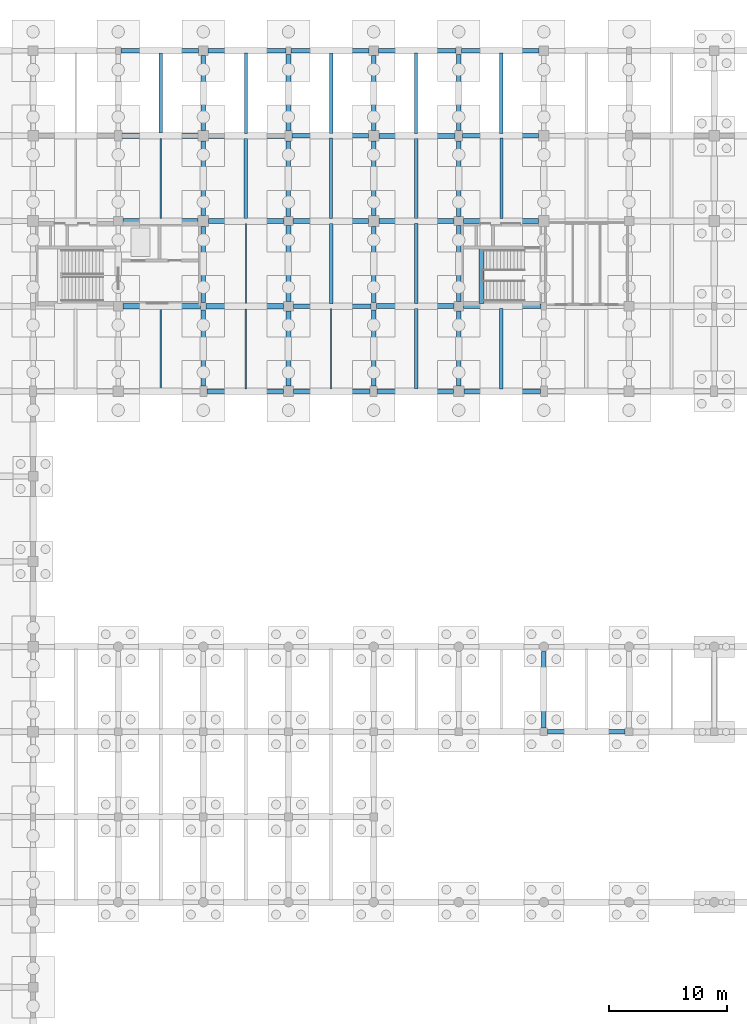
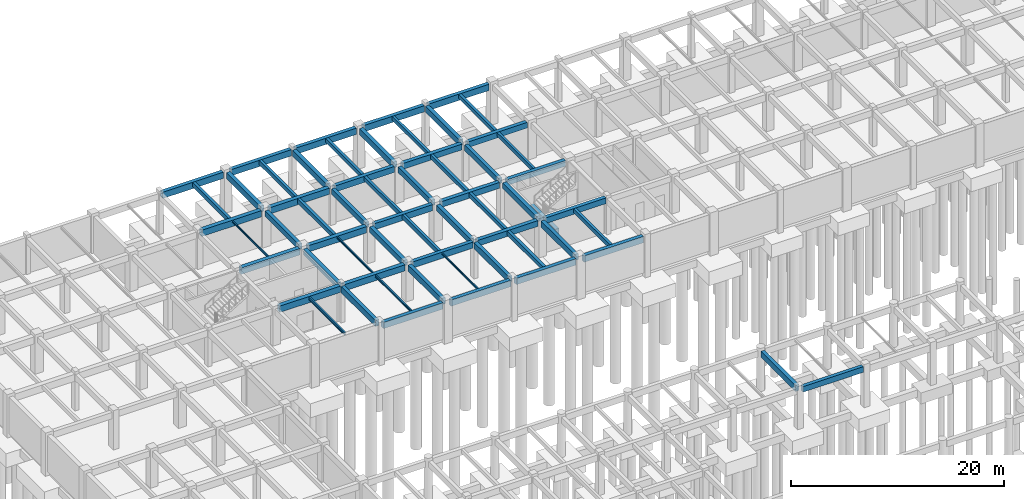
# One storey, part 30 of 47: 61 beams.
"""IFC4 building model written with IfcOpenShell, lengths in metres."""

from ifc_helpers import new_model, si_unit, direction, frame, origin, origin_2d, place, context, subcontext, project, spatial, rectangle, i_section, extrude, material, material_profile, profile_set, type_object, element, save


model = new_model("IFC4")

# Units and contexts
model_context = context("Model", 3, precision=1e-05, world=origin(), true_north=direction((0.0, 1.0)))
body_context = subcontext(model_context, "Body", "Model", "MODEL_VIEW")
ifc_project = project(units=[si_unit("LENGTHUNIT", "METRE"), si_unit("AREAUNIT", "SQUARE_METRE"), si_unit("VOLUMEUNIT", "CUBIC_METRE"), si_unit("PLANEANGLEUNIT", "RADIAN"), si_unit("MASSUNIT", "GRAM", prefix="KILO")], contexts=[model_context])

# Site, building, storey
site_placement = place(None, origin())
site = spatial("IfcSite", under=ifc_project, at=site_placement, CompositionType="ELEMENT")
building_placement = place(site_placement, origin())
building = spatial("IfcBuilding", under=site, at=building_placement, Name="Thalmaran Polytechnic", CompositionType="ELEMENT")
storey_placement = place(building_placement, frame((0.0, 0.0, -4.5)))
storey = spatial("IfcBuildingStorey", under=building, at=storey_placement, Name="B1", CompositionType="ELEMENT", Elevation=-4.5)

# Beams
ifc_material_1 = material(Name="Concrete C40/50", Category="concrete")
ifc_material_profile_1 = material_profile(ifc_material_1, rectangle(XDim=0.449951171875, YDim=0.72509765625, at=origin_2d()), Name="RC 450x725")
ifc_profile_set_1 = profile_set([ifc_material_profile_1], Name="Concrete C40/50")
beam_type_1 = type_object("IfcBeamType", Name="BM-RC04", PredefinedType="BEAM", material=ifc_profile_set_1)
beam_1_placement = place(storey_placement, frame((29.2099609375, 100.800048828125, 3.8076171875), z_axis=(1.0, 0.0, 0.0), x_axis=(0.0, 1.0, 0.0)))
element("IfcBeam", 1, at=beam_1_placement, inside=storey, type_object=beam_type_1, Name="Grid Beam B04 B1 X(4,14)", PredefinedType="BEAM", context=body_context, shape_type="SweptSolid", body=[
    extrude(rectangle(XDim=0.449951171875, YDim=0.72509765625, at=origin_2d()), origin(), (0.0, 0.0, 1.0), 6.56494140625),
])
beam_2_placement = place(storey_placement, frame((29.199951171875, 108.0, 3.8076171875), z_axis=(1.0, 0.0, 0.0), x_axis=(0.0, 1.0, 0.0)))
element("IfcBeam", 2, at=beam_2_placement, inside=storey, type_object=beam_type_1, Name="Grid Beam B04 B1 X(4,15)", PredefinedType="BEAM", context=body_context, shape_type="SweptSolid", body=[
    extrude(rectangle(XDim=0.449951171875, YDim=0.72509765625, at=origin_2d()), origin(), (0.0, 0.0, 1.0), 6.35009765625),
])
beam_3_placement = place(storey_placement, frame((29.10009765625, 115.199951171875, 3.8076171875), z_axis=(1.0, 0.0, 0.0), x_axis=(0.0, 1.0, 0.0)))
element("IfcBeam", 3, at=beam_3_placement, inside=storey, type_object=beam_type_1, Name="Grid Beam B04 B1 X(4,16)", PredefinedType="BEAM", context=body_context, shape_type="SweptSolid", body=[
    extrude(rectangle(XDim=0.449951171875, YDim=0.72509765625, at=origin_2d()), origin(), (0.0, 0.0, 1.0), 6.4599609375),
])
ifc_material_profile_2 = material_profile(ifc_material_1, rectangle(XDim=0.39990234375, YDim=0.699951171875, at=origin_2d()), Name="RC 400x700")
ifc_profile_set_2 = profile_set([ifc_material_profile_2], Name="Concrete C40/50")
beam_type_2 = type_object("IfcBeamType", Name="BM-RC05", PredefinedType="BEAM", material=ifc_profile_set_2)
beam_4_placement = place(storey_placement, frame((43.610107421875, 100.800048828125, 3.820068359375), z_axis=(1.0, 0.0, 0.0), x_axis=(0.0, 1.0, 0.0)))
element("IfcBeam", 4, at=beam_4_placement, inside=storey, type_object=beam_type_2, Name="Grid Beam B05 B1 X(6,14)", PredefinedType="BEAM", context=body_context, shape_type="SweptSolid", body=[
    extrude(rectangle(XDim=0.39990234375, YDim=0.699951171875, at=origin_2d()), origin(), (0.0, 0.0, 1.0), 6.56494140625),
])
beam_5_placement = place(storey_placement, frame((43.60009765625, 108.0, 3.820068359375), z_axis=(1.0, 0.0, 0.0), x_axis=(0.0, 1.0, 0.0)))
element("IfcBeam", 5, at=beam_5_placement, inside=storey, type_object=beam_type_2, Name="Grid Beam B05 B1 X(6,15)", PredefinedType="BEAM", context=body_context, shape_type="SweptSolid", body=[
    extrude(rectangle(XDim=0.39990234375, YDim=0.699951171875, at=origin_2d()), origin(), (0.0, 0.0, 1.0), 6.349853515625),
])
beam_6_placement = place(storey_placement, frame((43.5, 115.199951171875, 3.820068359375), z_axis=(1.0, 0.0, 0.0), x_axis=(0.0, 1.0, 0.0)))
element("IfcBeam", 6, at=beam_6_placement, inside=storey, type_object=beam_type_2, Name="Grid Beam B05 B1 X(6,16)", PredefinedType="BEAM", context=body_context, shape_type="SweptSolid", body=[
    extrude(rectangle(XDim=0.39990234375, YDim=0.699951171875, at=origin_2d()), origin(), (0.0, 0.0, 1.0), 6.4599609375),
])
ifc_material_profile_3 = material_profile(ifc_material_1, rectangle(XDim=0.39990234375, YDim=0.64990234375, at=origin_2d()), Name="RC 400x650")
ifc_profile_set_3 = profile_set([ifc_material_profile_3], Name="Concrete C40/50")
beam_type_3 = type_object("IfcBeamType", Name="BM-RC06", PredefinedType="BEAM", material=ifc_profile_set_3)
beam_7_placement = place(storey_placement, frame((58.010009765625, 100.800048828125, 3.844970703125), z_axis=(1.0, 0.0, 0.0), x_axis=(0.0, 1.0, 0.0)))
element("IfcBeam", 7, at=beam_7_placement, inside=storey, type_object=beam_type_3, Name="Grid Beam B06 B1 X(8,14)", PredefinedType="BEAM", context=body_context, shape_type="SweptSolid", body=[
    extrude(rectangle(XDim=0.39990234375, YDim=0.64990234375, at=origin_2d()), origin(), (0.0, 0.0, 1.0), 6.56494140625),
])
beam_8_placement = place(storey_placement, frame((58.0, 108.0, 3.844970703125), z_axis=(1.0, 0.0, 0.0), x_axis=(0.0, 1.0, 0.0)))
element("IfcBeam", 8, at=beam_8_placement, inside=storey, type_object=beam_type_3, Name="Grid Beam B06 B1 X(8,15)", PredefinedType="BEAM", context=body_context, shape_type="SweptSolid", body=[
    extrude(rectangle(XDim=0.39990234375, YDim=0.64990234375, at=origin_2d()), origin(), (0.0, 0.0, 1.0), 6.35009765625),
])
beam_9_placement = place(storey_placement, frame((57.89990234375, 115.199951171875, 3.844970703125), z_axis=(1.0, 0.0, 0.0), x_axis=(0.0, 1.0, 0.0)))
element("IfcBeam", 9, at=beam_9_placement, inside=storey, type_object=beam_type_3, Name="Grid Beam B06 B1 X(8,16)", PredefinedType="BEAM", context=body_context, shape_type="SweptSolid", body=[
    extrude(rectangle(XDim=0.39990234375, YDim=0.64990234375, at=origin_2d()), origin(), (0.0, 0.0, 1.0), 6.460205078125),
])
ifc_material_profile_4 = material_profile(ifc_material_1, rectangle(XDim=0.39990234375, YDim=0.6298828125, at=origin_2d()), Name="RC 400x630")
ifc_profile_set_4 = profile_set([ifc_material_profile_4], Name="Concrete C40/50")
beam_type_4 = type_object("IfcBeamType", Name="BM-RC07", PredefinedType="BEAM", material=ifc_profile_set_4)
beam_10_placement = place(storey_placement, frame((36.0, 101.125, 3.85498046875), z_axis=(0.0, 1.0, 0.0), x_axis=(-1.0, 0.0, 0.0)))
element("IfcBeam", 10, at=beam_10_placement, inside=storey, type_object=beam_type_4, Name="Grid Beam B07 B1 Y(5,14)", PredefinedType="BEAM", context=body_context, shape_type="SweptSolid", body=[
    extrude(rectangle(XDim=0.39990234375, YDim=0.6298828125, at=origin_2d()), origin(), (0.0, 0.0, 1.0), 6.425048828125),
])
beam_11_placement = place(storey_placement, frame((43.199951171875, 101.2099609375, 3.85498046875), z_axis=(0.0, 1.0, 0.0), x_axis=(-1.0, 0.0, 0.0)))
element("IfcBeam", 11, at=beam_11_placement, inside=storey, type_object=beam_type_4, Name="Grid Beam B07 B1 Y(6,14)", PredefinedType="BEAM", context=body_context, shape_type="SweptSolid", body=[
    extrude(rectangle(XDim=0.39990234375, YDim=0.6298828125, at=origin_2d()), origin(), (0.0, 0.0, 1.0), 6.39013671875),
])
beam_12_placement = place(storey_placement, frame((50.39990234375, 101.125, 3.85498046875), z_axis=(0.0, 1.0, 0.0), x_axis=(-1.0, 0.0, 0.0)))
element("IfcBeam", 12, at=beam_12_placement, inside=storey, type_object=beam_type_4, Name="Grid Beam B07 B1 Y(7,14)", PredefinedType="BEAM", context=body_context, shape_type="SweptSolid", body=[
    extrude(rectangle(XDim=0.39990234375, YDim=0.6298828125, at=origin_2d()), origin(), (0.0, 0.0, 1.0), 6.425048828125),
])
beam_13_placement = place(storey_placement, frame((57.60009765625, 101.2099609375, 3.85498046875), z_axis=(0.0, 1.0, 0.0), x_axis=(-1.0, 0.0, 0.0)))
element("IfcBeam", 13, at=beam_13_placement, inside=storey, type_object=beam_type_4, Name="Grid Beam B07 B1 Y(8,14)", PredefinedType="BEAM", context=body_context, shape_type="SweptSolid", body=[
    extrude(rectangle(XDim=0.39990234375, YDim=0.6298828125, at=origin_2d()), origin(), (0.0, 0.0, 1.0), 6.39013671875),
])
ifc_material_profile_5 = material_profile(ifc_material_1, rectangle(XDim=0.389892578125, YDim=0.68505859375, at=origin_2d()), Name="RC 390x685")
ifc_profile_set_5 = profile_set([ifc_material_profile_5], Name="Concrete C40/50")
beam_type_5 = type_object("IfcBeamType", Name="BM-RC08", PredefinedType="BEAM", material=ifc_profile_set_5)
beam_14_placement = place(storey_placement, frame((36.0, 115.639892578125, 3.827392578125), z_axis=(0.0, 1.0, 0.0), x_axis=(-1.0, 0.0, 0.0)))
element("IfcBeam", 14, at=beam_14_placement, inside=storey, type_object=beam_type_5, Name="Grid Beam B08 B1 Y(5,16)", PredefinedType="BEAM", context=body_context, shape_type="SweptSolid", body=[
    extrude(rectangle(XDim=0.389892578125, YDim=0.68505859375, at=origin_2d()), origin(), (0.0, 0.0, 1.0), 6.35009765625),
])
beam_15_placement = place(storey_placement, frame((43.199951171875, 115.64990234375, 3.827392578125), z_axis=(0.0, 1.0, 0.0), x_axis=(-1.0, 0.0, 0.0)))
element("IfcBeam", 15, at=beam_15_placement, inside=storey, type_object=beam_type_5, Name="Grid Beam B08 B1 Y(6,16)", PredefinedType="BEAM", context=body_context, shape_type="SweptSolid", body=[
    extrude(rectangle(XDim=0.389892578125, YDim=0.68505859375, at=origin_2d()), origin(), (0.0, 0.0, 1.0), 6.425048828125),
])
beam_16_placement = place(storey_placement, frame((50.39990234375, 115.639892578125, 3.827392578125), z_axis=(0.0, 1.0, 0.0), x_axis=(-1.0, 0.0, 0.0)))
element("IfcBeam", 16, at=beam_16_placement, inside=storey, type_object=beam_type_5, Name="Grid Beam B08 B1 Y(7,16)", PredefinedType="BEAM", context=body_context, shape_type="SweptSolid", body=[
    extrude(rectangle(XDim=0.389892578125, YDim=0.68505859375, at=origin_2d()), origin(), (0.0, 0.0, 1.0), 6.35009765625),
])
beam_17_placement = place(storey_placement, frame((57.60009765625, 115.64990234375, 3.827392578125), z_axis=(0.0, 1.0, 0.0), x_axis=(-1.0, 0.0, 0.0)))
element("IfcBeam", 17, at=beam_17_placement, inside=storey, type_object=beam_type_5, Name="Grid Beam B08 B1 Y(8,16)", PredefinedType="BEAM", context=body_context, shape_type="SweptSolid", body=[
    extrude(rectangle(XDim=0.389892578125, YDim=0.68505859375, at=origin_2d()), origin(), (0.0, 0.0, 1.0), 6.425048828125),
])
beam_18_placement = place(storey_placement, frame((64.800048828125, 65.125, 3.847412109375), z_axis=(0.0, 1.0, 0.0), x_axis=(-1.0, 0.0, 0.0)))
element("IfcBeam", 18, at=beam_18_placement, inside=storey, type_object=beam_type_5, Name="Grid Beam B08 B1 Y(9,9)", PredefinedType="BEAM", context=body_context, shape_type="SweptSolid", body=[
    extrude(rectangle(XDim=0.389892578125, YDim=0.68505859375, at=origin_2d()), origin(), (0.0, 0.0, 1.0), 6.47509765625),
])
ifc_material_profile_6 = material_profile(ifc_material_1, rectangle(XDim=0.389892578125, YDim=0.695068359375, at=origin_2d()), Name="RC 390x695")
ifc_profile_set_6 = profile_set([ifc_material_profile_6], Name="Concrete C40/50")
beam_type_6 = type_object("IfcBeamType", Name="BM-RC10", PredefinedType="BEAM", material=ifc_profile_set_6)
beam_19_placement = place(storey_placement, frame((36.0, 94.050048828125, 3.822509765625), z_axis=(0.0, 1.0, 0.0), x_axis=(-1.0, 0.0, 0.0)))
element("IfcBeam", 19, at=beam_19_placement, inside=storey, type_object=beam_type_6, Name="Grid Beam B10 B1 Y(5,13)", PredefinedType="BEAM", context=body_context, shape_type="SweptSolid", body=[
    extrude(rectangle(XDim=0.389892578125, YDim=0.695068359375, at=origin_2d()), origin(), (0.0, 0.0, 1.0), 6.425048828125),
])
beam_20_placement = place(storey_placement, frame((43.199951171875, 94.0400390625, 3.822509765625), z_axis=(0.0, 1.0, 0.0), x_axis=(-1.0, 0.0, 0.0)))
element("IfcBeam", 20, at=beam_20_placement, inside=storey, type_object=beam_type_6, Name="Grid Beam B10 B1 Y(6,13)", PredefinedType="BEAM", context=body_context, shape_type="SweptSolid", body=[
    extrude(rectangle(XDim=0.389892578125, YDim=0.695068359375, at=origin_2d()), origin(), (0.0, 0.0, 1.0), 6.349853515625),
])
beam_21_placement = place(storey_placement, frame((50.39990234375, 94.050048828125, 3.822509765625), z_axis=(0.0, 1.0, 0.0), x_axis=(-1.0, 0.0, 0.0)))
element("IfcBeam", 21, at=beam_21_placement, inside=storey, type_object=beam_type_6, Name="Grid Beam B10 B1 Y(7,13)", PredefinedType="BEAM", context=body_context, shape_type="SweptSolid", body=[
    extrude(rectangle(XDim=0.389892578125, YDim=0.695068359375, at=origin_2d()), origin(), (0.0, 0.0, 1.0), 6.425048828125),
])
beam_22_placement = place(storey_placement, frame((57.60009765625, 94.0400390625, 3.822509765625), z_axis=(0.0, 1.0, 0.0), x_axis=(-1.0, 0.0, 0.0)))
element("IfcBeam", 22, at=beam_22_placement, inside=storey, type_object=beam_type_6, Name="Grid Beam B10 B1 Y(8,13)", PredefinedType="BEAM", context=body_context, shape_type="SweptSolid", body=[
    extrude(rectangle(XDim=0.389892578125, YDim=0.695068359375, at=origin_2d()), origin(), (0.0, 0.0, 1.0), 6.349853515625),
])
beam_23_placement = place(storey_placement, frame((59.52001953125, 101.0400390625, 1.7900390625), z_axis=(0.0, 1.0, 0.0), x_axis=(-1.0, 0.0, 0.0)))
element("IfcBeam", 23, at=beam_23_placement, inside=storey, type_object=beam_type_6, Name="ST6 B1 Half-Landing Trimmer Beam", PredefinedType="BEAM", context=body_context, shape_type="SweptSolid", body=[
    extrude(rectangle(XDim=0.389892578125, YDim=0.695068359375, at=origin_2d()), origin(), (0.0, 0.0, 1.0), 4.699951171875),
])
ifc_material_profile_7 = material_profile(ifc_material_1, rectangle(XDim=0.300048828125, YDim=0.5, at=origin_2d()), Name="RC 300x500")
ifc_profile_set_7 = profile_set([ifc_material_profile_7], Name="Concrete C40/50")
beam_type_7 = type_object("IfcBeamType", Name="BM-RC11", PredefinedType="JOIST", material=ifc_profile_set_7)
beam_24_placement = place(storey_placement, frame((32.39990234375, 115.425048828125, 3.919921875), z_axis=(0.0, 1.0, 0.0), x_axis=(-1.0, 0.0, 0.0)))
element("IfcBeam", 24, at=beam_24_placement, inside=storey, type_object=beam_type_7, Name="Secondary Floor Rib RB01 B1 (4,16)", PredefinedType="JOIST", context=body_context, shape_type="SweptSolid", body=[
    extrude(rectangle(XDim=0.300048828125, YDim=0.5, at=origin_2d()), origin(), (0.0, 0.0, 1.0), 6.77490234375),
])
beam_25_placement = place(storey_placement, frame((39.60009765625, 108.219970703125, 3.919921875), z_axis=(0.0, 1.0, 0.0), x_axis=(-1.0, 0.0, 0.0)))
element("IfcBeam", 25, at=beam_25_placement, inside=storey, type_object=beam_type_7, Name="Secondary Floor Rib RB01 B1 (5,15)", PredefinedType="JOIST", context=body_context, shape_type="SweptSolid", body=[
    extrude(rectangle(XDim=0.300048828125, YDim=0.5, at=origin_2d()), origin(), (0.0, 0.0, 1.0), 6.760009765625),
])
beam_26_placement = place(storey_placement, frame((46.800048828125, 101.0, 3.919921875), z_axis=(0.0, 1.0, 0.0), x_axis=(-1.0, 0.0, 0.0)))
element("IfcBeam", 26, at=beam_26_placement, inside=storey, type_object=beam_type_7, Name="Secondary Floor Rib RB01 B1 (6,14)", PredefinedType="JOIST", context=body_context, shape_type="SweptSolid", body=[
    extrude(rectangle(XDim=0.300048828125, YDim=0.5, at=origin_2d()), origin(), (0.0, 0.0, 1.0), 6.800048828125),
])
beam_27_placement = place(storey_placement, frame((54.0, 93.800048828125, 3.919921875), z_axis=(0.0, 1.0, 0.0), x_axis=(-1.0, 0.0, 0.0)))
element("IfcBeam", 27, at=beam_27_placement, inside=storey, type_object=beam_type_7, Name="Secondary Floor Rib RB01 B1 (7,13)", PredefinedType="JOIST", context=body_context, shape_type="SweptSolid", body=[
    extrude(rectangle(XDim=0.300048828125, YDim=0.5, at=origin_2d()), origin(), (0.0, 0.0, 1.0), 6.7900390625),
])
ifc_material_profile_8 = material_profile(ifc_material_1, rectangle(XDim=0.300048828125, YDim=0.449951171875, at=origin_2d()), Name="RC 300x450")
ifc_profile_set_8 = profile_set([ifc_material_profile_8], Name="Concrete C40/50")
beam_type_8 = type_object("IfcBeamType", Name="BM-RC12", PredefinedType="JOIST", material=ifc_profile_set_8)
beam_28_placement = place(storey_placement, frame((46.800048828125, 115.39990234375, 3.945068359375), z_axis=(0.0, 1.0, 0.0), x_axis=(-1.0, 0.0, 0.0)))
element("IfcBeam", 28, at=beam_28_placement, inside=storey, type_object=beam_type_8, Name="Secondary Floor Rib RB02 B1 (6,16)", PredefinedType="JOIST", context=body_context, shape_type="SweptSolid", body=[
    extrude(rectangle(XDim=0.300048828125, YDim=0.449951171875, at=origin_2d()), origin(), (0.0, 0.0, 1.0), 6.800048828125),
])
beam_29_placement = place(storey_placement, frame((54.0, 108.2099609375, 3.945068359375), z_axis=(0.0, 1.0, 0.0), x_axis=(-1.0, 0.0, 0.0)))
element("IfcBeam", 29, at=beam_29_placement, inside=storey, type_object=beam_type_8, Name="Secondary Floor Rib RB02 B1 (7,15)", PredefinedType="JOIST", context=body_context, shape_type="SweptSolid", body=[
    extrude(rectangle(XDim=0.300048828125, YDim=0.449951171875, at=origin_2d()), origin(), (0.0, 0.0, 1.0), 6.780029296875),
])
ifc_material_profile_9 = material_profile(ifc_material_1, rectangle(XDim=0.280029296875, YDim=0.449951171875, at=origin_2d()), Name="RC 280x450")
ifc_profile_set_9 = profile_set([ifc_material_profile_9], Name="Concrete C40/50")
beam_type_9 = type_object("IfcBeamType", Name="BM-RC13", PredefinedType="JOIST", material=ifc_profile_set_9)
beam_30_placement = place(storey_placement, frame((61.199951171875, 115.39990234375, 3.945068359375), z_axis=(0.0, 1.0, 0.0), x_axis=(-1.0, 0.0, 0.0)))
element("IfcBeam", 30, at=beam_30_placement, inside=storey, type_object=beam_type_9, Name="Secondary Floor Rib RB03 B1 (8,16)", PredefinedType="JOIST", context=body_context, shape_type="SweptSolid", body=[
    extrude(rectangle(XDim=0.280029296875, YDim=0.449951171875, at=origin_2d()), origin(), (0.0, 0.0, 1.0), 6.800048828125),
])
ifc_material_2 = material(Name="Steel S355", Category="steel")
ifc_material_profile_10 = material_profile(ifc_material_2, i_section(OverallWidth=0.159912109375, OverallDepth=0.330078125, WebThickness=0.007568359375, FlangeThickness=0.011474609375, at=origin_2d()), Name="IPE 330")
ifc_profile_set_10 = profile_set([ifc_material_profile_10], Name="Steel S355")
beam_type_10 = type_object("IfcBeamType", Name="BM-SJ02", PredefinedType="JOIST", material=ifc_profile_set_10)
beam_31_placement = place(storey_placement, frame((32.39990234375, 93.800048828125, 4.0048828125), z_axis=(0.0, 1.0, 0.0), x_axis=(-1.0, 0.0, 0.0)))
element("IfcBeam", 31, at=beam_31_placement, inside=storey, type_object=beam_type_10, Name="Secondary Floor Rib SJ02 B1 (4,13)", PredefinedType="JOIST", context=body_context, shape_type="SweptSolid", body=[
    extrude(i_section(OverallWidth=0.159912109375, OverallDepth=0.330078125, WebThickness=0.007568359375, FlangeThickness=0.011474609375, at=origin_2d()), origin(), (0.0, 0.0, 1.0), 6.77490234375),
])
ifc_material_profile_11 = material_profile(ifc_material_2, i_section(OverallWidth=0.135009765625, OverallDepth=0.27001953125, WebThickness=0.006591796875, FlangeThickness=0.01025390625, at=origin_2d()), Name="IPE 270")
ifc_profile_set_11 = profile_set([ifc_material_profile_11], Name="Steel S355")
beam_type_11 = type_object("IfcBeamType", Name="BM-SJ03", PredefinedType="JOIST", material=ifc_profile_set_11)
beam_32_placement = place(storey_placement, frame((39.60009765625, 93.800048828125, 4.034912109375), z_axis=(0.0, 1.0, 0.0), x_axis=(-1.0, 0.0, 0.0)))
element("IfcBeam", 32, at=beam_32_placement, inside=storey, type_object=beam_type_11, Name="Secondary Floor Rib SJ03 B1 (5,13)", PredefinedType="JOIST", context=body_context, shape_type="SweptSolid", body=[
    extrude(i_section(OverallWidth=0.135009765625, OverallDepth=0.27001953125, WebThickness=0.006591796875, FlangeThickness=0.01025390625, at=origin_2d()), origin(), (0.0, 0.0, 1.0), 6.780029296875),
])
ifc_material_profile_12 = material_profile(ifc_material_2, i_section(OverallWidth=0.110107421875, OverallDepth=0.219970703125, WebThickness=0.005859375, FlangeThickness=0.00927734375, at=origin_2d()), Name="IPE 220")
ifc_profile_set_12 = profile_set([ifc_material_profile_12], Name="Steel S355")
beam_type_12 = type_object("IfcBeamType", Name="BM-SJ04", PredefinedType="JOIST", material=ifc_profile_set_12)
beam_33_placement = place(storey_placement, frame((32.39990234375, 108.22509765625, 4.06005859375), z_axis=(0.0, 1.0, 0.0), x_axis=(-1.0, 0.0, 0.0)))
element("IfcBeam", 33, at=beam_33_placement, inside=storey, type_object=beam_type_12, Name="Secondary Floor Rib SJ04 B1 (4,15)", PredefinedType="JOIST", context=body_context, shape_type="SweptSolid", body=[
    extrude(i_section(OverallWidth=0.110107421875, OverallDepth=0.219970703125, WebThickness=0.005859375, FlangeThickness=0.00927734375, at=origin_2d()), origin(), (0.0, 0.0, 1.0), 6.75),
])
beam_34_placement = place(storey_placement, frame((39.60009765625, 101.02001953125, 4.06005859375), z_axis=(0.0, 1.0, 0.0), x_axis=(-1.0, 0.0, 0.0)))
element("IfcBeam", 34, at=beam_34_placement, inside=storey, type_object=beam_type_12, Name="Secondary Floor Rib SJ04 B1 (5,14)", PredefinedType="JOIST", context=body_context, shape_type="SweptSolid", body=[
    extrude(i_section(OverallWidth=0.110107421875, OverallDepth=0.219970703125, WebThickness=0.005859375, FlangeThickness=0.00927734375, at=origin_2d()), origin(), (0.0, 0.0, 1.0), 6.760009765625),
])
beam_35_placement = place(storey_placement, frame((46.800048828125, 93.800048828125, 4.06005859375), z_axis=(0.0, 1.0, 0.0), x_axis=(-1.0, 0.0, 0.0)))
element("IfcBeam", 35, at=beam_35_placement, inside=storey, type_object=beam_type_12, Name="Secondary Floor Rib SJ04 B1 (6,13)", PredefinedType="JOIST", context=body_context, shape_type="SweptSolid", body=[
    extrude(i_section(OverallWidth=0.110107421875, OverallDepth=0.219970703125, WebThickness=0.005859375, FlangeThickness=0.00927734375, at=origin_2d()), origin(), (0.0, 0.0, 1.0), 6.800048828125),
])
ifc_material_profile_13 = material_profile(ifc_material_1, rectangle(XDim=0.39990234375, YDim=0.719970703125, at=origin_2d()), Name="RC 400x720")
ifc_profile_set_13 = profile_set([ifc_material_profile_13], Name="Concrete C40/50")
beam_type_13 = type_object("IfcBeamType", Name="BM-SP01", PredefinedType="SPANDREL", material=ifc_profile_set_13)
beam_36_placement = place(storey_placement, frame((29.02490234375, 122.39990234375, 3.81005859375), z_axis=(1.0, 0.0, 0.0), x_axis=(0.0, 1.0, 0.0)))
element("IfcBeam", 36, at=beam_36_placement, inside=storey, type_object=beam_type_13, Name="Grid Beam SP01 B1 X(4,17)", PredefinedType="SPANDREL", context=body_context, shape_type="SweptSolid", body=[
    extrude(rectangle(XDim=0.39990234375, YDim=0.719970703125, at=origin_2d()), origin(), (0.0, 0.0, 1.0), 6.565185546875),
])
beam_37_placement = place(storey_placement, frame((36.300048828125, 93.60009765625, 3.81005859375), z_axis=(1.0, 0.0, 0.0), x_axis=(0.0, 1.0, 0.0)))
element("IfcBeam", 37, at=beam_37_placement, inside=storey, type_object=beam_type_13, Name="Grid Beam SP01 B1 X(5,13)", PredefinedType="SPANDREL", context=body_context, shape_type="SweptSolid", body=[
    extrude(rectangle(XDim=0.39990234375, YDim=0.719970703125, at=origin_2d()), origin(), (0.0, 0.0, 1.0), 6.4599609375),
])
beam_38_placement = place(storey_placement, frame((36.409912109375, 122.39990234375, 3.81005859375), z_axis=(1.0, 0.0, 0.0), x_axis=(0.0, 1.0, 0.0)))
element("IfcBeam", 38, at=beam_38_placement, inside=storey, type_object=beam_type_13, Name="Grid Beam SP01 B1 X(5,17)", PredefinedType="SPANDREL", context=body_context, shape_type="SweptSolid", body=[
    extrude(rectangle(XDim=0.39990234375, YDim=0.719970703125, at=origin_2d()), origin(), (0.0, 0.0, 1.0), 6.565185546875),
])
beam_39_placement = place(storey_placement, frame((43.639892578125, 93.60009765625, 3.81005859375), z_axis=(1.0, 0.0, 0.0), x_axis=(0.0, 1.0, 0.0)))
element("IfcBeam", 39, at=beam_39_placement, inside=storey, type_object=beam_type_13, Name="Grid Beam SP01 B1 X(6,13)", PredefinedType="SPANDREL", context=body_context, shape_type="SweptSolid", body=[
    extrude(rectangle(XDim=0.39990234375, YDim=0.719970703125, at=origin_2d()), origin(), (0.0, 0.0, 1.0), 6.460205078125),
])
beam_40_placement = place(storey_placement, frame((43.425048828125, 122.39990234375, 3.81005859375), z_axis=(1.0, 0.0, 0.0), x_axis=(0.0, 1.0, 0.0)))
element("IfcBeam", 40, at=beam_40_placement, inside=storey, type_object=beam_type_13, Name="Grid Beam SP01 B1 X(6,17)", PredefinedType="SPANDREL", context=body_context, shape_type="SweptSolid", body=[
    extrude(rectangle(XDim=0.39990234375, YDim=0.719970703125, at=origin_2d()), origin(), (0.0, 0.0, 1.0), 6.56494140625),
])
beam_41_placement = place(storey_placement, frame((50.699951171875, 93.60009765625, 3.81005859375), z_axis=(1.0, 0.0, 0.0), x_axis=(0.0, 1.0, 0.0)))
element("IfcBeam", 41, at=beam_41_placement, inside=storey, type_object=beam_type_13, Name="Grid Beam SP01 B1 X(7,13)", PredefinedType="SPANDREL", context=body_context, shape_type="SweptSolid", body=[
    extrude(rectangle(XDim=0.39990234375, YDim=0.719970703125, at=origin_2d()), origin(), (0.0, 0.0, 1.0), 6.4599609375),
])
beam_42_placement = place(storey_placement, frame((50.81005859375, 122.39990234375, 3.81005859375), z_axis=(1.0, 0.0, 0.0), x_axis=(0.0, 1.0, 0.0)))
element("IfcBeam", 42, at=beam_42_placement, inside=storey, type_object=beam_type_13, Name="Grid Beam SP01 B1 X(7,17)", PredefinedType="SPANDREL", context=body_context, shape_type="SweptSolid", body=[
    extrude(rectangle(XDim=0.39990234375, YDim=0.719970703125, at=origin_2d()), origin(), (0.0, 0.0, 1.0), 6.56494140625),
])
beam_43_placement = place(storey_placement, frame((58.0400390625, 93.60009765625, 3.81005859375), z_axis=(1.0, 0.0, 0.0), x_axis=(0.0, 1.0, 0.0)))
element("IfcBeam", 43, at=beam_43_placement, inside=storey, type_object=beam_type_13, Name="Grid Beam SP01 B1 X(8,13)", PredefinedType="SPANDREL", context=body_context, shape_type="SweptSolid", body=[
    extrude(rectangle(XDim=0.39990234375, YDim=0.719970703125, at=origin_2d()), origin(), (0.0, 0.0, 1.0), 6.4599609375),
])
beam_44_placement = place(storey_placement, frame((57.824951171875, 122.39990234375, 3.81005859375), z_axis=(1.0, 0.0, 0.0), x_axis=(0.0, 1.0, 0.0)))
element("IfcBeam", 44, at=beam_44_placement, inside=storey, type_object=beam_type_13, Name="Grid Beam SP01 B1 X(8,17)", PredefinedType="SPANDREL", context=body_context, shape_type="SweptSolid", body=[
    extrude(rectangle(XDim=0.39990234375, YDim=0.719970703125, at=origin_2d()), origin(), (0.0, 0.0, 1.0), 6.56494140625),
])
ifc_material_profile_14 = material_profile(ifc_material_1, rectangle(XDim=0.43994140625, YDim=0.719970703125, at=origin_2d()), Name="RC 440x720")
ifc_profile_set_14 = profile_set([ifc_material_profile_14], Name="Concrete C40/50")
beam_type_14 = type_object("IfcBeamType", Name="BM-ZB03", PredefinedType="BEAM", material=ifc_profile_set_14)
beam_45_placement = place(storey_placement, frame((36.22509765625, 100.800048828125, 3.81005859375), z_axis=(1.0, 0.0, 0.0), x_axis=(0.0, 1.0, 0.0)))
element("IfcBeam", 45, at=beam_45_placement, inside=storey, type_object=beam_type_14, Name="Grid Beam ZB03 B1 X(5,14)", PredefinedType="BEAM", context=body_context, shape_type="SweptSolid", body=[
    extrude(rectangle(XDim=0.43994140625, YDim=0.719970703125, at=origin_2d()), origin(), (0.0, 0.0, 1.0), 6.56494140625),
])
beam_46_placement = place(storey_placement, frame((36.449951171875, 108.0, 3.81005859375), z_axis=(1.0, 0.0, 0.0), x_axis=(0.0, 1.0, 0.0)))
element("IfcBeam", 46, at=beam_46_placement, inside=storey, type_object=beam_type_14, Name="Grid Beam ZB03 B1 X(5,15)", PredefinedType="BEAM", context=body_context, shape_type="SweptSolid", body=[
    extrude(rectangle(XDim=0.43994140625, YDim=0.719970703125, at=origin_2d()), origin(), (0.0, 0.0, 1.0), 6.35009765625),
])
beam_47_placement = place(storey_placement, frame((36.43994140625, 115.199951171875, 3.81005859375), z_axis=(1.0, 0.0, 0.0), x_axis=(0.0, 1.0, 0.0)))
element("IfcBeam", 47, at=beam_47_placement, inside=storey, type_object=beam_type_14, Name="Grid Beam ZB03 B1 X(5,16)", PredefinedType="BEAM", context=body_context, shape_type="SweptSolid", body=[
    extrude(rectangle(XDim=0.43994140625, YDim=0.719970703125, at=origin_2d()), origin(), (0.0, 0.0, 1.0), 6.4599609375),
])
ifc_material_profile_15 = material_profile(ifc_material_1, rectangle(XDim=0.419921875, YDim=0.659912109375, at=origin_2d()), Name="RC 420x660")
ifc_profile_set_15 = profile_set([ifc_material_profile_15], Name="Concrete C40/50")
beam_type_15 = type_object("IfcBeamType", Name="BM-ZB04", PredefinedType="BEAM", material=ifc_profile_set_15)
beam_48_placement = place(storey_placement, frame((50.625, 100.800048828125, 3.840087890625), z_axis=(1.0, 0.0, 0.0), x_axis=(0.0, 1.0, 0.0)))
element("IfcBeam", 48, at=beam_48_placement, inside=storey, type_object=beam_type_15, Name="Grid Beam ZB04 B1 X(7,14)", PredefinedType="BEAM", context=body_context, shape_type="SweptSolid", body=[
    extrude(rectangle(XDim=0.419921875, YDim=0.659912109375, at=origin_2d()), origin(), (0.0, 0.0, 1.0), 6.56494140625),
])
beam_49_placement = place(storey_placement, frame((50.85009765625, 108.0, 3.840087890625), z_axis=(1.0, 0.0, 0.0), x_axis=(0.0, 1.0, 0.0)))
element("IfcBeam", 49, at=beam_49_placement, inside=storey, type_object=beam_type_15, Name="Grid Beam ZB04 B1 X(7,15)", PredefinedType="BEAM", context=body_context, shape_type="SweptSolid", body=[
    extrude(rectangle(XDim=0.419921875, YDim=0.659912109375, at=origin_2d()), origin(), (0.0, 0.0, 1.0), 6.349853515625),
])
beam_50_placement = place(storey_placement, frame((50.840087890625, 115.199951171875, 3.840087890625), z_axis=(1.0, 0.0, 0.0), x_axis=(0.0, 1.0, 0.0)))
element("IfcBeam", 50, at=beam_50_placement, inside=storey, type_object=beam_type_15, Name="Grid Beam ZB04 B1 X(7,16)", PredefinedType="BEAM", context=body_context, shape_type="SweptSolid", body=[
    extrude(rectangle(XDim=0.419921875, YDim=0.659912109375, at=origin_2d()), origin(), (0.0, 0.0, 1.0), 6.4599609375),
])
ifc_material_profile_16 = material_profile(ifc_material_1, rectangle(XDim=0.3798828125, YDim=0.639892578125, at=origin_2d()), Name="RC 380x640")
ifc_profile_set_16 = profile_set([ifc_material_profile_16], Name="Concrete C40/50")
beam_type_16 = type_object("IfcBeamType", Name="BM-ZB05", PredefinedType="BEAM", material=ifc_profile_set_16)
beam_51_placement = place(storey_placement, frame((65.125, 64.800048828125, 3.8701171875), z_axis=(1.0, 0.0, 0.0), x_axis=(0.0, 1.0, 0.0)))
element("IfcBeam", 51, at=beam_51_placement, inside=storey, type_object=beam_type_16, Name="Grid Beam ZB05 B1 X(9,9)", PredefinedType="BEAM", context=body_context, shape_type="SweptSolid", body=[
    extrude(rectangle(XDim=0.3798828125, YDim=0.639892578125, at=origin_2d()), origin(), (0.0, 0.0, 1.0), 6.550048828125),
])
ifc_material_profile_17 = material_profile(ifc_material_1, rectangle(XDim=0.3798828125, YDim=0.635009765625, at=origin_2d()), Name="RC 380x635")
ifc_profile_set_17 = profile_set([ifc_material_profile_17], Name="Concrete C40/50")
beam_type_17 = type_object("IfcBeamType", Name="BM-ZB06", PredefinedType="BEAM", material=ifc_profile_set_17)
beam_52_placement = place(storey_placement, frame((36.0, 108.449951171875, 3.8525390625), z_axis=(0.0, 1.0, 0.0), x_axis=(-1.0, 0.0, 0.0)))
element("IfcBeam", 52, at=beam_52_placement, inside=storey, type_object=beam_type_17, Name="Grid Beam ZB06 B1 Y(5,15)", PredefinedType="BEAM", context=body_context, shape_type="SweptSolid", body=[
    extrude(rectangle(XDim=0.3798828125, YDim=0.635009765625, at=origin_2d()), origin(), (0.0, 0.0, 1.0), 6.31005859375),
])
beam_53_placement = place(storey_placement, frame((43.199951171875, 108.39990234375, 3.8525390625), z_axis=(0.0, 1.0, 0.0), x_axis=(-1.0, 0.0, 0.0)))
element("IfcBeam", 53, at=beam_53_placement, inside=storey, type_object=beam_type_17, Name="Grid Beam ZB06 B1 Y(6,15)", PredefinedType="BEAM", context=body_context, shape_type="SweptSolid", body=[
    extrude(rectangle(XDim=0.3798828125, YDim=0.635009765625, at=origin_2d()), origin(), (0.0, 0.0, 1.0), 6.35009765625),
])
beam_54_placement = place(storey_placement, frame((50.39990234375, 108.449951171875, 3.8525390625), z_axis=(0.0, 1.0, 0.0), x_axis=(-1.0, 0.0, 0.0)))
element("IfcBeam", 54, at=beam_54_placement, inside=storey, type_object=beam_type_17, Name="Grid Beam ZB06 B1 Y(7,15)", PredefinedType="BEAM", context=body_context, shape_type="SweptSolid", body=[
    extrude(rectangle(XDim=0.3798828125, YDim=0.635009765625, at=origin_2d()), origin(), (0.0, 0.0, 1.0), 6.31005859375),
])
beam_55_placement = place(storey_placement, frame((57.60009765625, 108.39990234375, 3.8525390625), z_axis=(0.0, 1.0, 0.0), x_axis=(-1.0, 0.0, 0.0)))
element("IfcBeam", 55, at=beam_55_placement, inside=storey, type_object=beam_type_17, Name="Grid Beam ZB06 B1 Y(8,15)", PredefinedType="BEAM", context=body_context, shape_type="SweptSolid", body=[
    extrude(rectangle(XDim=0.3798828125, YDim=0.635009765625, at=origin_2d()), origin(), (0.0, 0.0, 1.0), 6.35009765625),
])
ifc_material_profile_18 = material_profile(ifc_material_1, rectangle(XDim=0.280029296875, YDim=0.47998046875, at=origin_2d()), Name="RC 280x480")
ifc_profile_set_18 = profile_set([ifc_material_profile_18], Name="Concrete C40/50")
beam_type_18 = type_object("IfcBeamType", Name="BM-ZJ01", PredefinedType="JOIST", material=ifc_profile_set_18)
beam_56_placement = place(storey_placement, frame((39.60009765625, 115.419921875, 3.929931640625), z_axis=(0.0, 1.0, 0.0), x_axis=(-1.0, 0.0, 0.0)))
element("IfcBeam", 56, at=beam_56_placement, inside=storey, type_object=beam_type_18, Name="Secondary Floor Rib ZJ01 B1 (5,16)", PredefinedType="JOIST", context=body_context, shape_type="SweptSolid", body=[
    extrude(rectangle(XDim=0.280029296875, YDim=0.47998046875, at=origin_2d()), origin(), (0.0, 0.0, 1.0), 6.780029296875),
])
beam_57_placement = place(storey_placement, frame((46.800048828125, 108.199951171875, 3.929931640625), z_axis=(0.0, 1.0, 0.0), x_axis=(-1.0, 0.0, 0.0)))
element("IfcBeam", 57, at=beam_57_placement, inside=storey, type_object=beam_type_18, Name="Secondary Floor Rib ZJ01 B1 (6,15)", PredefinedType="JOIST", context=body_context, shape_type="SweptSolid", body=[
    extrude(rectangle(XDim=0.280029296875, YDim=0.47998046875, at=origin_2d()), origin(), (0.0, 0.0, 1.0), 6.800048828125),
])
beam_58_placement = place(storey_placement, frame((54.0, 101.010009765625, 3.929931640625), z_axis=(0.0, 1.0, 0.0), x_axis=(-1.0, 0.0, 0.0)))
element("IfcBeam", 58, at=beam_58_placement, inside=storey, type_object=beam_type_18, Name="Secondary Floor Rib ZJ01 B1 (7,14)", PredefinedType="JOIST", context=body_context, shape_type="SweptSolid", body=[
    extrude(rectangle(XDim=0.280029296875, YDim=0.47998046875, at=origin_2d()), origin(), (0.0, 0.0, 1.0), 6.780029296875),
])
beam_59_placement = place(storey_placement, frame((61.199951171875, 93.800048828125, 3.929931640625), z_axis=(0.0, 1.0, 0.0), x_axis=(-1.0, 0.0, 0.0)))
element("IfcBeam", 59, at=beam_59_placement, inside=storey, type_object=beam_type_18, Name="Secondary Floor Rib ZJ01 B1 (8,13)", PredefinedType="JOIST", context=body_context, shape_type="SweptSolid", body=[
    extrude(rectangle(XDim=0.280029296875, YDim=0.47998046875, at=origin_2d()), origin(), (0.0, 0.0, 1.0), 6.800048828125),
])
ifc_material_profile_19 = material_profile(ifc_material_1, rectangle(XDim=0.260009765625, YDim=0.43994140625, at=origin_2d()), Name="RC 260x440")
ifc_profile_set_19 = profile_set([ifc_material_profile_19], Name="Concrete C40/50")
beam_type_19 = type_object("IfcBeamType", Name="BM-ZJ02", PredefinedType="JOIST", material=ifc_profile_set_19)
beam_60_placement = place(storey_placement, frame((54.0, 115.409912109375, 3.949951171875), z_axis=(0.0, 1.0, 0.0), x_axis=(-1.0, 0.0, 0.0)))
element("IfcBeam", 60, at=beam_60_placement, inside=storey, type_object=beam_type_19, Name="Secondary Floor Rib ZJ02 B1 (7,16)", PredefinedType="JOIST", context=body_context, shape_type="SweptSolid", body=[
    extrude(rectangle(XDim=0.260009765625, YDim=0.43994140625, at=origin_2d()), origin(), (0.0, 0.0, 1.0), 6.7900390625),
])
beam_61_placement = place(storey_placement, frame((61.199951171875, 108.199951171875, 3.949951171875), z_axis=(0.0, 1.0, 0.0), x_axis=(-1.0, 0.0, 0.0)))
element("IfcBeam", 61, at=beam_61_placement, inside=storey, type_object=beam_type_19, Name="Secondary Floor Rib ZJ02 B1 (8,15)", PredefinedType="JOIST", context=body_context, shape_type="SweptSolid", body=[
    extrude(rectangle(XDim=0.260009765625, YDim=0.43994140625, at=origin_2d()), origin(), (0.0, 0.0, 1.0), 6.800048828125),
])

save(model, "model.ifc")
